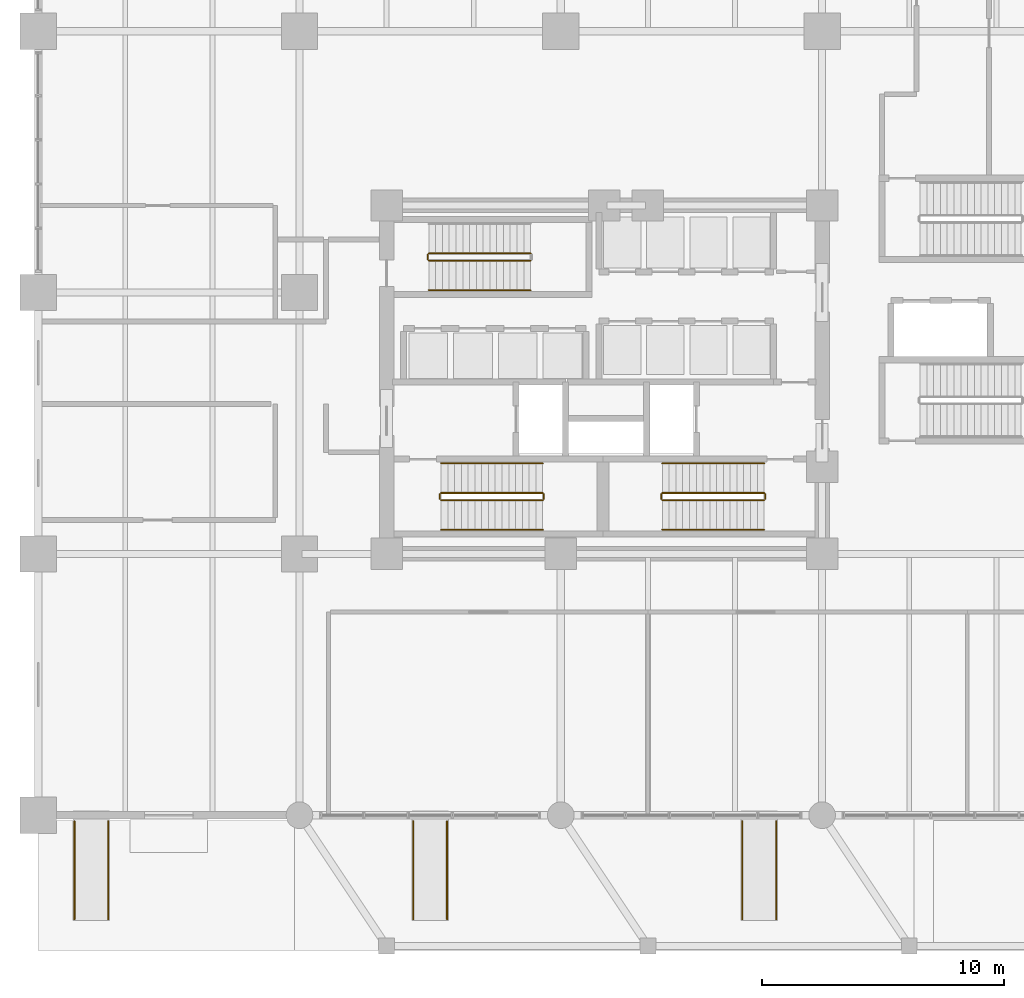
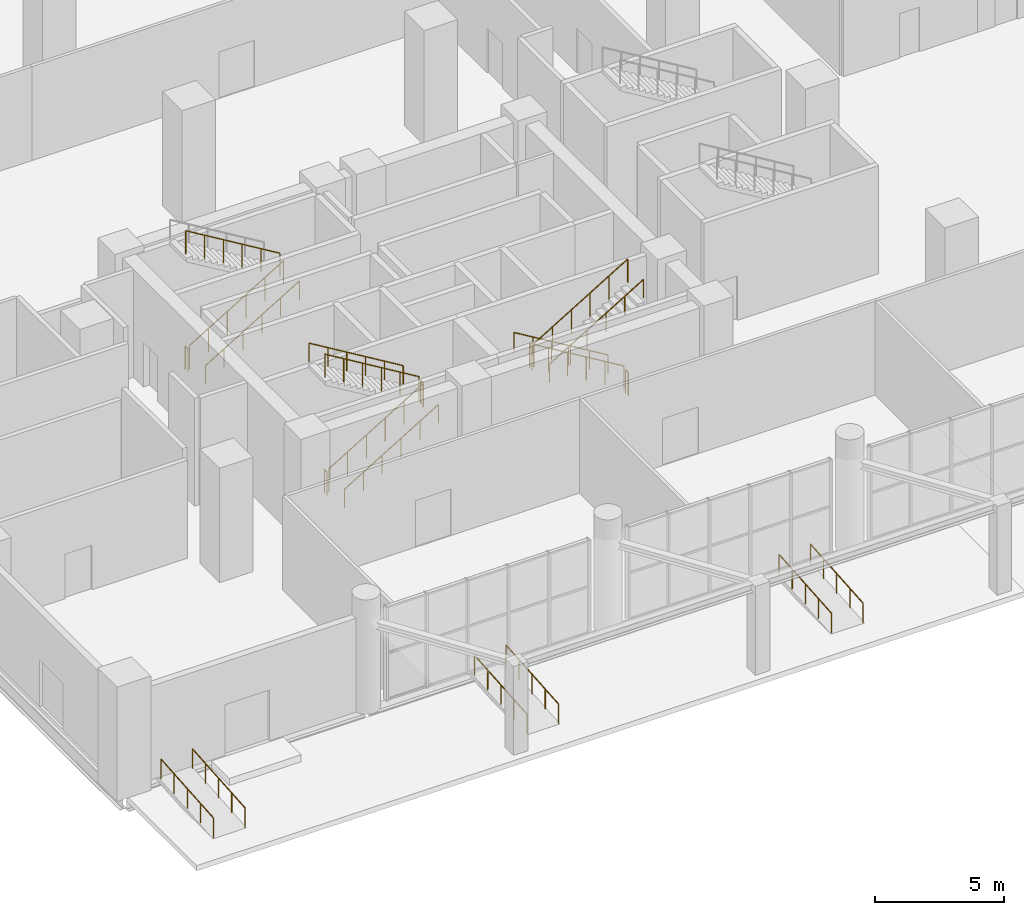
# One storey, part 18 of 22: 22 railings.
"""IFC4 building model written with IfcOpenShell, lengths in metres."""

from ifc_helpers import new_model, si_unit, direction, frame, origin, origin_2d, place, context, subcontext, project, spatial, circle, extrude, material, type_object, element, save


model = new_model("IFC4")

# Units and contexts
model_context = context("Model", 3, precision=1e-05, world=origin(), true_north=direction((0.0, 1.0)))
body_context = subcontext(model_context, "Body", "Model", "MODEL_VIEW")
ifc_project = project(units=[si_unit("LENGTHUNIT", "METRE"), si_unit("AREAUNIT", "SQUARE_METRE"), si_unit("VOLUMEUNIT", "CUBIC_METRE"), si_unit("PLANEANGLEUNIT", "RADIAN"), si_unit("MASSUNIT", "GRAM", prefix="KILO")], contexts=[model_context])

# Site, building, storey
site_placement = place(None, origin())
site = spatial("IfcSite", under=ifc_project, at=site_placement, CompositionType="ELEMENT")
building_placement = place(site_placement, origin())
building = spatial("IfcBuilding", under=site, at=building_placement, Name="Solnavia Interchange Tower", CompositionType="ELEMENT")
storey_placement = place(building_placement, origin())
storey = spatial("IfcBuildingStorey", under=building, at=storey_placement, Name="L00", CompositionType="ELEMENT", Elevation=0.0)

# Railings
ifc_material_1 = material(Name="Brushed Stainless Steel", Category="steel")
railing_type_1 = type_object("IfcRailingType", Name="Railing-RampHandrail-950", PredefinedType="HANDRAIL", material=ifc_material_1)
for number, where, name in (
    (1, (1.5, -4.300048828125, -0.340087890625), "HRL-RMP-L00-A1-L Accessible ramp handrail"),
    (2, (2.89990234375, -4.300048828125, -0.340087890625), "HRL-RMP-L00-A1-R Accessible ramp handrail"),
    (3, (15.5, -4.300048828125, -0.340087890625), "HRL-RMP-L00-A2-L Accessible ramp handrail"),
    (4, (16.89990234375, -4.300048828125, -0.340087890625), "HRL-RMP-L00-A2-R Accessible ramp handrail"),
    (5, (29.10009765625, -4.300048828125, -0.340087890625), "HRL-RMP-L00-A3-L Accessible ramp handrail"),
    (6, (30.5, -4.300048828125, -0.340087890625), "HRL-RMP-L00-A3-R Accessible ramp handrail"),
):
    element("IfcRailing", number, at=place(storey_placement, frame(where)), inside=storey, type_object=railing_type_1, Name=name, PredefinedType="HANDRAIL", context=body_context, shape_type="SweptSolid", body=[
        extrude(circle(Radius=0.02392578125, at=origin_2d()), frame((0.0, 0.0, 0.92578125), z_axis=(0.0, 0.996891817618, 0.078782637464), x_axis=(-1.0, 0.0, 0.0)), (0.0, 0.0, 1.0), 4.062744140625),
        extrude(circle(Radius=0.02099609375, at=origin_2d()), origin(), (0.0, 0.0, 1.0), 0.90185546875),
        extrude(circle(Radius=0.02099609375, at=origin_2d()), frame((0.0, 1.012451171875, 0.080078125)), (0.0, 0.0, 1.0), 0.90185546875),
        extrude(circle(Radius=0.02099609375, at=origin_2d()), frame((0.0, 2.02490234375, 0.16015625)), (0.0, 0.0, 1.0), 0.90185546875),
        extrude(circle(Radius=0.02099609375, at=origin_2d()), frame((0.0, 3.03759765625, 0.239990234375)), (0.0, 0.0, 1.0), 0.90185546875),
        extrude(circle(Radius=0.02099609375, at=origin_2d()), frame((0.0, 4.050048828125, 0.320068359375)), (0.0, 0.0, 1.0), 0.90185546875),
    ])
ifc_material_2 = material(Name="Painted Steel Balustrade", Category="steel")
railing_type_2 = type_object("IfcRailingType", Name="Railing-StairGuard-1100", PredefinedType="GUARDRAIL", material=ifc_material_2)
railing_1_placement = place(storey_placement, frame((16.64990234375, 13.02001953125, 0.168701171875)))
element("IfcRailing", 7, at=railing_1_placement, inside=storey, type_object=railing_type_2, Name="L00 ST-1 stair guard 1", PredefinedType="GUARDRAIL", context=body_context, shape_type="SweptSolid", body=[
    extrude(circle(Radius=0.02392578125, at=origin_2d()), frame((0.0, 0.0, 1.09619140625), z_axis=(0.856489757249, 0.0, 0.516164020179), x_axis=(0.0, 1.0, 0.0)), (0.0, 0.0, 1.0), 4.904052734375),
    extrude(circle(Radius=0.02099609375, at=origin_2d()), origin(), (0.0, 0.0, 1.0), 1.072021484375),
    extrude(circle(Radius=0.02099609375, at=origin_2d()), frame((0.840087890625, 0.0, 0.50634765625)), (0.0, 0.0, 1.0), 1.072021484375),
    extrude(circle(Radius=0.02099609375, at=origin_2d()), frame((1.68017578125, 0.0, 1.012451171875)), (0.0, 0.0, 1.0), 1.072021484375),
    extrude(circle(Radius=0.02099609375, at=origin_2d()), frame((2.52001953125, 0.0, 1.518798828125)), (0.0, 0.0, 1.0), 1.072021484375),
    extrude(circle(Radius=0.02099609375, at=origin_2d()), frame((3.360107421875, 0.0, 2.02490234375)), (0.0, 0.0, 1.0), 1.072021484375),
    extrude(circle(Radius=0.02099609375, at=origin_2d()), frame((4.2001953125, 0.0, 2.53125)), (0.0, 0.0, 1.0), 1.072021484375),
])
railing_2_placement = place(storey_placement, frame((20.89990234375, 13.070068359375, 2.699951171875)))
element("IfcRailing", 8, at=railing_2_placement, inside=storey, type_object=railing_type_2, Name="L00 ST-1 stair guard 2", PredefinedType="GUARDRAIL", context=body_context, shape_type="SweptSolid", body=[
    extrude(circle(Radius=0.02392578125, at=origin_2d()), frame((0.0, 0.0, 1.09619140625), z_axis=(0.0, 1.0, 0.0), x_axis=(-1.0, 0.0, 0.0)), (0.0, 0.0, 1.0), 0.199951171875),
    extrude(circle(Radius=0.02099609375, at=origin_2d()), origin(), (0.0, 0.0, 1.0), 1.072021484375),
    extrude(circle(Radius=0.02099609375, at=origin_2d()), frame((0.0, 0.199951171875, 0.0)), (0.0, 0.0, 1.0), 1.072021484375),
])
railing_3_placement = place(storey_placement, frame((20.85009765625, 13.320068359375, 2.86865234375)))
element("IfcRailing", 9, at=railing_3_placement, inside=storey, type_object=railing_type_2, Name="L00 ST-1 stair guard 3", PredefinedType="GUARDRAIL", context=body_context, shape_type="SweptSolid", body=[
    extrude(circle(Radius=0.02392578125, at=origin_2d()), frame((0.0, 0.0, 1.09619140625), z_axis=(-0.856489757249, 0.0, 0.516164020179), x_axis=(0.0, -1.0, 0.0)), (0.0, 0.0, 1.0), 4.904052734375),
    extrude(circle(Radius=0.02099609375, at=origin_2d()), origin(), (0.0, 0.0, 1.0), 1.072021484375),
    extrude(circle(Radius=0.02099609375, at=origin_2d()), frame((-0.840087890625, 0.0, 0.50634765625)), (0.0, 0.0, 1.0), 1.072021484375),
    extrude(circle(Radius=0.02099609375, at=origin_2d()), frame((-1.68017578125, 0.0, 1.012451171875)), (0.0, 0.0, 1.0), 1.072021484375),
    extrude(circle(Radius=0.02099609375, at=origin_2d()), frame((-2.52001953125, 0.0, 1.518798828125)), (0.0, 0.0, 1.0), 1.072021484375),
    extrude(circle(Radius=0.02099609375, at=origin_2d()), frame((-3.360107421875, 0.0, 2.02490234375)), (0.0, 0.0, 1.0), 1.072021484375),
    extrude(circle(Radius=0.02099609375, at=origin_2d()), frame((-4.2001953125, 0.0, 2.53125)), (0.0, 0.0, 1.0), 1.072021484375),
])
railing_4_placement = place(storey_placement, frame((16.60009765625, 13.070068359375, 0.0)))
element("IfcRailing", 10, at=railing_4_placement, inside=storey, type_object=railing_type_2, Name="L00 ST-1 stair guard 4", PredefinedType="GUARDRAIL", context=body_context, shape_type="SweptSolid", body=[
    extrude(circle(Radius=0.02392578125, at=origin_2d()), frame((0.0, 0.0, 1.09619140625), z_axis=(0.0, 1.0, 0.0), x_axis=(-1.0, 0.0, 0.0)), (0.0, 0.0, 1.0), 0.199951171875),
    extrude(circle(Radius=0.02099609375, at=origin_2d()), origin(), (0.0, 0.0, 1.0), 1.072021484375),
    extrude(circle(Radius=0.02099609375, at=origin_2d()), frame((0.0, 0.199951171875, 0.0)), (0.0, 0.0, 1.0), 1.072021484375),
])
railing_5_placement = place(storey_placement, frame((30.0, 13.320068359375, 0.168701171875)))
element("IfcRailing", 11, at=railing_5_placement, inside=storey, type_object=railing_type_2, Name="L00 ST-2 stair guard 1", PredefinedType="GUARDRAIL", context=body_context, shape_type="SweptSolid", body=[
    extrude(circle(Radius=0.02392578125, at=origin_2d()), frame((0.0, 0.0, 1.09619140625), z_axis=(-0.856476492594, 0.0, 0.516186030065), x_axis=(0.0, -1.0, 0.0)), (0.0, 0.0, 1.0), 4.90380859375),
    extrude(circle(Radius=0.02099609375, at=origin_2d()), origin(), (0.0, 0.0, 1.0), 1.072021484375),
    extrude(circle(Radius=0.02099609375, at=origin_2d()), frame((-0.840087890625, 0.0, 0.50634765625)), (0.0, 0.0, 1.0), 1.072021484375),
    extrude(circle(Radius=0.02099609375, at=origin_2d()), frame((-1.679931640625, 0.0, 1.012451171875)), (0.0, 0.0, 1.0), 1.072021484375),
    extrude(circle(Radius=0.02099609375, at=origin_2d()), frame((-2.52001953125, 0.0, 1.518798828125)), (0.0, 0.0, 1.0), 1.072021484375),
    extrude(circle(Radius=0.02099609375, at=origin_2d()), frame((-3.35986328125, 0.0, 2.02490234375)), (0.0, 0.0, 1.0), 1.072021484375),
    extrude(circle(Radius=0.02099609375, at=origin_2d()), frame((-4.199951171875, 0.0, 2.53125)), (0.0, 0.0, 1.0), 1.072021484375),
])
railing_6_placement = place(storey_placement, frame((25.75, 13.27001953125, 2.699951171875)))
element("IfcRailing", 12, at=railing_6_placement, inside=storey, type_object=railing_type_2, Name="L00 ST-2 stair guard 2", PredefinedType="GUARDRAIL", context=body_context, shape_type="SweptSolid", body=[
    extrude(circle(Radius=0.02392578125, at=origin_2d()), frame((0.0, 0.0, 1.09619140625), z_axis=(0.0, -1.0, 0.0), x_axis=(1.0, 0.0, 0.0)), (0.0, 0.0, 1.0), 0.199951171875),
    extrude(circle(Radius=0.02099609375, at=origin_2d()), origin(), (0.0, 0.0, 1.0), 1.072021484375),
    extrude(circle(Radius=0.02099609375, at=origin_2d()), frame((0.0, -0.199951171875, 0.0)), (0.0, 0.0, 1.0), 1.072021484375),
])
railing_7_placement = place(storey_placement, frame((25.800048828125, 13.02001953125, 2.86865234375)))
element("IfcRailing", 13, at=railing_7_placement, inside=storey, type_object=railing_type_2, Name="L00 ST-2 stair guard 3", PredefinedType="GUARDRAIL", context=body_context, shape_type="SweptSolid", body=[
    extrude(circle(Radius=0.02392578125, at=origin_2d()), frame((0.0, 0.0, 1.09619140625), z_axis=(0.856476492594, 0.0, 0.516186030065), x_axis=(0.0, 1.0, 0.0)), (0.0, 0.0, 1.0), 4.90380859375),
    extrude(circle(Radius=0.02099609375, at=origin_2d()), origin(), (0.0, 0.0, 1.0), 1.072021484375),
    extrude(circle(Radius=0.02099609375, at=origin_2d()), frame((0.840087890625, 0.0, 0.50634765625)), (0.0, 0.0, 1.0), 1.072021484375),
    extrude(circle(Radius=0.02099609375, at=origin_2d()), frame((1.679931640625, 0.0, 1.012451171875)), (0.0, 0.0, 1.0), 1.072021484375),
    extrude(circle(Radius=0.02099609375, at=origin_2d()), frame((2.52001953125, 0.0, 1.518798828125)), (0.0, 0.0, 1.0), 1.072021484375),
    extrude(circle(Radius=0.02099609375, at=origin_2d()), frame((3.35986328125, 0.0, 2.02490234375)), (0.0, 0.0, 1.0), 1.072021484375),
    extrude(circle(Radius=0.02099609375, at=origin_2d()), frame((4.199951171875, 0.0, 2.53125)), (0.0, 0.0, 1.0), 1.072021484375),
])
railing_8_placement = place(storey_placement, frame((30.050048828125, 13.27001953125, 0.0)))
element("IfcRailing", 14, at=railing_8_placement, inside=storey, type_object=railing_type_2, Name="L00 ST-2 stair guard 4", PredefinedType="GUARDRAIL", context=body_context, shape_type="SweptSolid", body=[
    extrude(circle(Radius=0.02392578125, at=origin_2d()), frame((0.0, 0.0, 1.09619140625), z_axis=(0.0, -1.0, 0.0), x_axis=(1.0, 0.0, 0.0)), (0.0, 0.0, 1.0), 0.199951171875),
    extrude(circle(Radius=0.02099609375, at=origin_2d()), origin(), (0.0, 0.0, 1.0), 1.072021484375),
    extrude(circle(Radius=0.02099609375, at=origin_2d()), frame((0.0, -0.199951171875, 0.0)), (0.0, 0.0, 1.0), 1.072021484375),
])
railing_9_placement = place(storey_placement, frame((16.14990234375, 22.919921875, 0.168701171875)))
element("IfcRailing", 15, at=railing_9_placement, inside=storey, type_object=railing_type_2, Name="L00 ST-3 stair guard 1", PredefinedType="GUARDRAIL", context=body_context, shape_type="SweptSolid", body=[
    extrude(circle(Radius=0.02392578125, at=origin_2d()), frame((0.0, 0.0, 1.09619140625), z_axis=(0.856489757249, 0.0, 0.516164020179), x_axis=(0.0, 1.0, 0.0)), (0.0, 0.0, 1.0), 4.904052734375),
    extrude(circle(Radius=0.02099609375, at=origin_2d()), origin(), (0.0, 0.0, 1.0), 1.072021484375),
    extrude(circle(Radius=0.02099609375, at=origin_2d()), frame((0.840087890625, 0.0, 0.50634765625)), (0.0, 0.0, 1.0), 1.072021484375),
    extrude(circle(Radius=0.02099609375, at=origin_2d()), frame((1.68017578125, 0.0, 1.012451171875)), (0.0, 0.0, 1.0), 1.072021484375),
    extrude(circle(Radius=0.02099609375, at=origin_2d()), frame((2.52001953125, 0.0, 1.518798828125)), (0.0, 0.0, 1.0), 1.072021484375),
    extrude(circle(Radius=0.02099609375, at=origin_2d()), frame((3.360107421875, 0.0, 2.02490234375)), (0.0, 0.0, 1.0), 1.072021484375),
    extrude(circle(Radius=0.02099609375, at=origin_2d()), frame((4.2001953125, 0.0, 2.53125)), (0.0, 0.0, 1.0), 1.072021484375),
])
railing_10_placement = place(storey_placement, frame((20.35009765625, 23.219970703125, 2.86865234375)))
element("IfcRailing", 16, at=railing_10_placement, inside=storey, type_object=railing_type_2, Name="L00 ST-3 stair guard 3", PredefinedType="GUARDRAIL", context=body_context, shape_type="SweptSolid", body=[
    extrude(circle(Radius=0.02392578125, at=origin_2d()), frame((0.0, 0.0, 1.09619140625), z_axis=(-0.856489757249, 0.0, 0.516164020179), x_axis=(0.0, -1.0, 0.0)), (0.0, 0.0, 1.0), 4.904052734375),
    extrude(circle(Radius=0.02099609375, at=origin_2d()), origin(), (0.0, 0.0, 1.0), 1.072021484375),
    extrude(circle(Radius=0.02099609375, at=origin_2d()), frame((-0.840087890625, 0.0, 0.50634765625)), (0.0, 0.0, 1.0), 1.072021484375),
    extrude(circle(Radius=0.02099609375, at=origin_2d()), frame((-1.68017578125, 0.0, 1.012451171875)), (0.0, 0.0, 1.0), 1.072021484375),
    extrude(circle(Radius=0.02099609375, at=origin_2d()), frame((-2.52001953125, 0.0, 1.518798828125)), (0.0, 0.0, 1.0), 1.072021484375),
    extrude(circle(Radius=0.02099609375, at=origin_2d()), frame((-3.360107421875, 0.0, 2.02490234375)), (0.0, 0.0, 1.0), 1.072021484375),
    extrude(circle(Radius=0.02099609375, at=origin_2d()), frame((-4.2001953125, 0.0, 2.53125)), (0.0, 0.0, 1.0), 1.072021484375),
])
railing_11_placement = place(storey_placement, frame((16.10009765625, 22.969970703125, 0.0)))
element("IfcRailing", 17, at=railing_11_placement, inside=storey, type_object=railing_type_2, Name="L00 ST-3 stair guard 4", PredefinedType="GUARDRAIL", context=body_context, shape_type="SweptSolid", body=[
    extrude(circle(Radius=0.02392578125, at=origin_2d()), frame((0.0, 0.0, 1.09619140625), z_axis=(0.0, 1.0, 0.0), x_axis=(-1.0, 0.0, 0.0)), (0.0, 0.0, 1.0), 0.199951171875),
    extrude(circle(Radius=0.02099609375, at=origin_2d()), origin(), (0.0, 0.0, 1.0), 1.072021484375),
    extrude(circle(Radius=0.02099609375, at=origin_2d()), frame((0.0, 0.199951171875, 0.0)), (0.0, 0.0, 1.0), 1.072021484375),
])
railing_type_3 = type_object("IfcRailingType", Name="Railing-StairHandrail-900", PredefinedType="HANDRAIL", material=ifc_material_1)
railing_12_placement = place(storey_placement, frame((16.64990234375, 11.800048828125, 0.168701171875)))
element("IfcRailing", 18, at=railing_12_placement, inside=storey, type_object=railing_type_3, Name="L00 ST-1 stair handrail 1", PredefinedType="HANDRAIL", context=body_context, shape_type="SweptSolid", body=[
    extrude(circle(Radius=0.02392578125, at=origin_2d()), frame((0.0, 0.0, 0.8759765625), z_axis=(0.856489757249, 0.0, 0.516164020179), x_axis=(0.0, 1.0, 0.0)), (0.0, 0.0, 1.0), 4.904052734375),
    extrude(circle(Radius=0.02099609375, at=origin_2d()), origin(), (0.0, 0.0, 1.0), 0.851806640625),
    extrude(circle(Radius=0.02099609375, at=origin_2d()), frame((0.840087890625, 0.0, 0.50634765625)), (0.0, 0.0, 1.0), 0.851806640625),
    extrude(circle(Radius=0.02099609375, at=origin_2d()), frame((1.68017578125, 0.0, 1.012451171875)), (0.0, 0.0, 1.0), 0.851806640625),
    extrude(circle(Radius=0.02099609375, at=origin_2d()), frame((2.52001953125, 0.0, 1.518798828125)), (0.0, 0.0, 1.0), 0.851806640625),
    extrude(circle(Radius=0.02099609375, at=origin_2d()), frame((3.360107421875, 0.0, 2.02490234375)), (0.0, 0.0, 1.0), 0.851806640625),
    extrude(circle(Radius=0.02099609375, at=origin_2d()), frame((4.2001953125, 0.0, 2.53125)), (0.0, 0.0, 1.0), 0.851806640625),
])
railing_13_placement = place(storey_placement, frame((20.85009765625, 14.5400390625, 2.86865234375)))
element("IfcRailing", 19, at=railing_13_placement, inside=storey, type_object=railing_type_3, Name="L00 ST-1 stair handrail 2", PredefinedType="HANDRAIL", context=body_context, shape_type="SweptSolid", body=[
    extrude(circle(Radius=0.02392578125, at=origin_2d()), frame((0.0, 0.0, 0.8759765625), z_axis=(-0.856489757249, 0.0, 0.516164020179), x_axis=(0.0, -1.0, 0.0)), (0.0, 0.0, 1.0), 4.904052734375),
    extrude(circle(Radius=0.02099609375, at=origin_2d()), origin(), (0.0, 0.0, 1.0), 0.851806640625),
    extrude(circle(Radius=0.02099609375, at=origin_2d()), frame((-0.840087890625, 0.0, 0.50634765625)), (0.0, 0.0, 1.0), 0.851806640625),
    extrude(circle(Radius=0.02099609375, at=origin_2d()), frame((-1.68017578125, 0.0, 1.012451171875)), (0.0, 0.0, 1.0), 0.851806640625),
    extrude(circle(Radius=0.02099609375, at=origin_2d()), frame((-2.52001953125, 0.0, 1.518798828125)), (0.0, 0.0, 1.0), 0.851806640625),
    extrude(circle(Radius=0.02099609375, at=origin_2d()), frame((-3.360107421875, 0.0, 2.02490234375)), (0.0, 0.0, 1.0), 0.851806640625),
    extrude(circle(Radius=0.02099609375, at=origin_2d()), frame((-4.2001953125, 0.0, 2.53125)), (0.0, 0.0, 1.0), 0.851806640625),
])
railing_14_placement = place(storey_placement, frame((30.0, 14.5400390625, 0.168701171875)))
element("IfcRailing", 20, at=railing_14_placement, inside=storey, type_object=railing_type_3, Name="L00 ST-2 stair handrail 1", PredefinedType="HANDRAIL", context=body_context, shape_type="SweptSolid", body=[
    extrude(circle(Radius=0.02392578125, at=origin_2d()), frame((0.0, 0.0, 0.8759765625), z_axis=(-0.856476492594, 0.0, 0.516186030065), x_axis=(0.0, -1.0, 0.0)), (0.0, 0.0, 1.0), 4.90380859375),
    extrude(circle(Radius=0.02099609375, at=origin_2d()), origin(), (0.0, 0.0, 1.0), 0.851806640625),
    extrude(circle(Radius=0.02099609375, at=origin_2d()), frame((-0.840087890625, 0.0, 0.50634765625)), (0.0, 0.0, 1.0), 0.851806640625),
    extrude(circle(Radius=0.02099609375, at=origin_2d()), frame((-1.679931640625, 0.0, 1.012451171875)), (0.0, 0.0, 1.0), 0.851806640625),
    extrude(circle(Radius=0.02099609375, at=origin_2d()), frame((-2.52001953125, 0.0, 1.518798828125)), (0.0, 0.0, 1.0), 0.851806640625),
    extrude(circle(Radius=0.02099609375, at=origin_2d()), frame((-3.35986328125, 0.0, 2.02490234375)), (0.0, 0.0, 1.0), 0.851806640625),
    extrude(circle(Radius=0.02099609375, at=origin_2d()), frame((-4.199951171875, 0.0, 2.53125)), (0.0, 0.0, 1.0), 0.851806640625),
])
railing_15_placement = place(storey_placement, frame((25.800048828125, 11.800048828125, 2.86865234375)))
element("IfcRailing", 21, at=railing_15_placement, inside=storey, type_object=railing_type_3, Name="L00 ST-2 stair handrail 2", PredefinedType="HANDRAIL", context=body_context, shape_type="SweptSolid", body=[
    extrude(circle(Radius=0.02392578125, at=origin_2d()), frame((0.0, 0.0, 0.8759765625), z_axis=(0.856476492594, 0.0, 0.516186030065), x_axis=(0.0, 1.0, 0.0)), (0.0, 0.0, 1.0), 4.90380859375),
    extrude(circle(Radius=0.02099609375, at=origin_2d()), origin(), (0.0, 0.0, 1.0), 0.851806640625),
    extrude(circle(Radius=0.02099609375, at=origin_2d()), frame((0.840087890625, 0.0, 0.50634765625)), (0.0, 0.0, 1.0), 0.851806640625),
    extrude(circle(Radius=0.02099609375, at=origin_2d()), frame((1.679931640625, 0.0, 1.012451171875)), (0.0, 0.0, 1.0), 0.851806640625),
    extrude(circle(Radius=0.02099609375, at=origin_2d()), frame((2.52001953125, 0.0, 1.518798828125)), (0.0, 0.0, 1.0), 0.851806640625),
    extrude(circle(Radius=0.02099609375, at=origin_2d()), frame((3.35986328125, 0.0, 2.02490234375)), (0.0, 0.0, 1.0), 0.851806640625),
    extrude(circle(Radius=0.02099609375, at=origin_2d()), frame((4.199951171875, 0.0, 2.53125)), (0.0, 0.0, 1.0), 0.851806640625),
])
railing_16_placement = place(storey_placement, frame((16.14990234375, 21.699951171875, 0.168701171875)))
element("IfcRailing", 22, at=railing_16_placement, inside=storey, type_object=railing_type_3, Name="L00 ST-3 stair handrail 1", PredefinedType="HANDRAIL", context=body_context, shape_type="SweptSolid", body=[
    extrude(circle(Radius=0.02392578125, at=origin_2d()), frame((0.0, 0.0, 0.8759765625), z_axis=(0.856489757249, 0.0, 0.516164020179), x_axis=(0.0, 1.0, 0.0)), (0.0, 0.0, 1.0), 4.904052734375),
    extrude(circle(Radius=0.02099609375, at=origin_2d()), origin(), (0.0, 0.0, 1.0), 0.851806640625),
    extrude(circle(Radius=0.02099609375, at=origin_2d()), frame((0.840087890625, 0.0, 0.50634765625)), (0.0, 0.0, 1.0), 0.851806640625),
    extrude(circle(Radius=0.02099609375, at=origin_2d()), frame((1.68017578125, 0.0, 1.012451171875)), (0.0, 0.0, 1.0), 0.851806640625),
    extrude(circle(Radius=0.02099609375, at=origin_2d()), frame((2.52001953125, 0.0, 1.518798828125)), (0.0, 0.0, 1.0), 0.851806640625),
    extrude(circle(Radius=0.02099609375, at=origin_2d()), frame((3.360107421875, 0.0, 2.02490234375)), (0.0, 0.0, 1.0), 0.851806640625),
    extrude(circle(Radius=0.02099609375, at=origin_2d()), frame((4.2001953125, 0.0, 2.53125)), (0.0, 0.0, 1.0), 0.851806640625),
])

save(model, "model.ifc")
